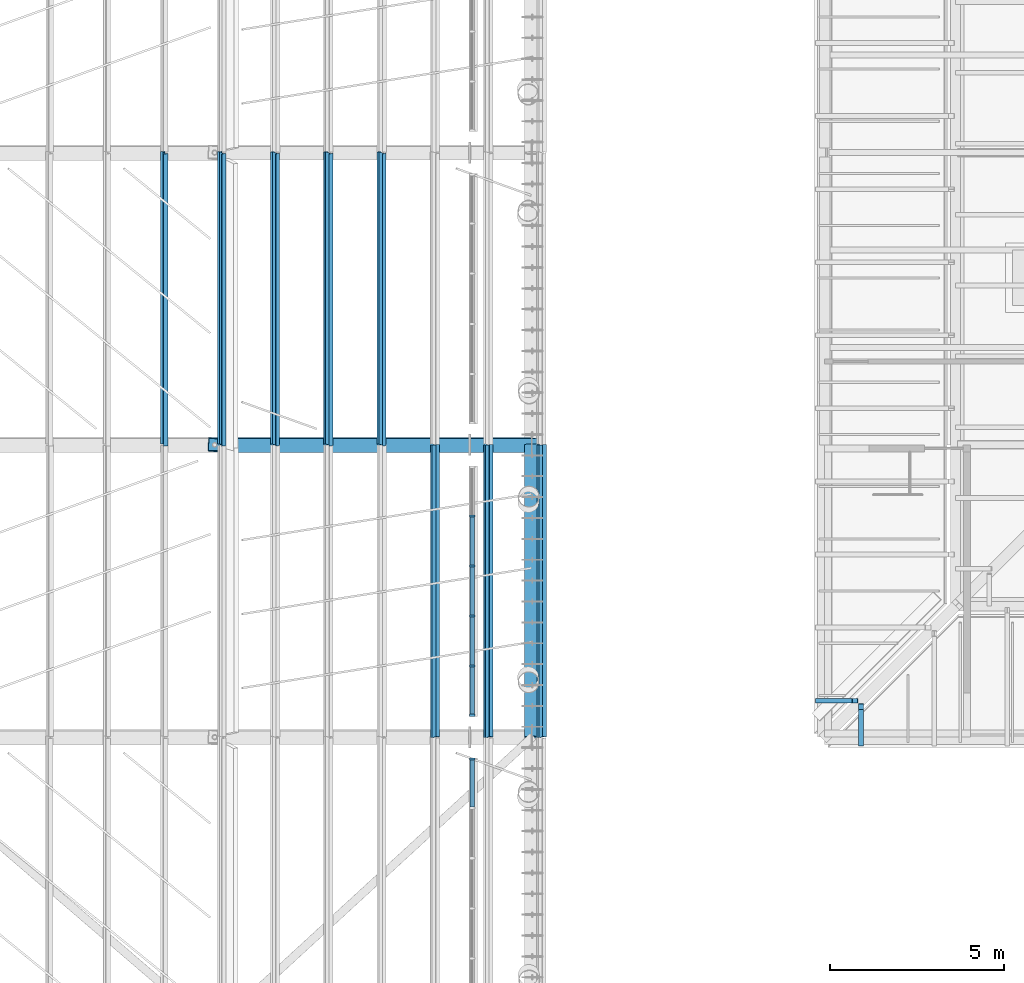
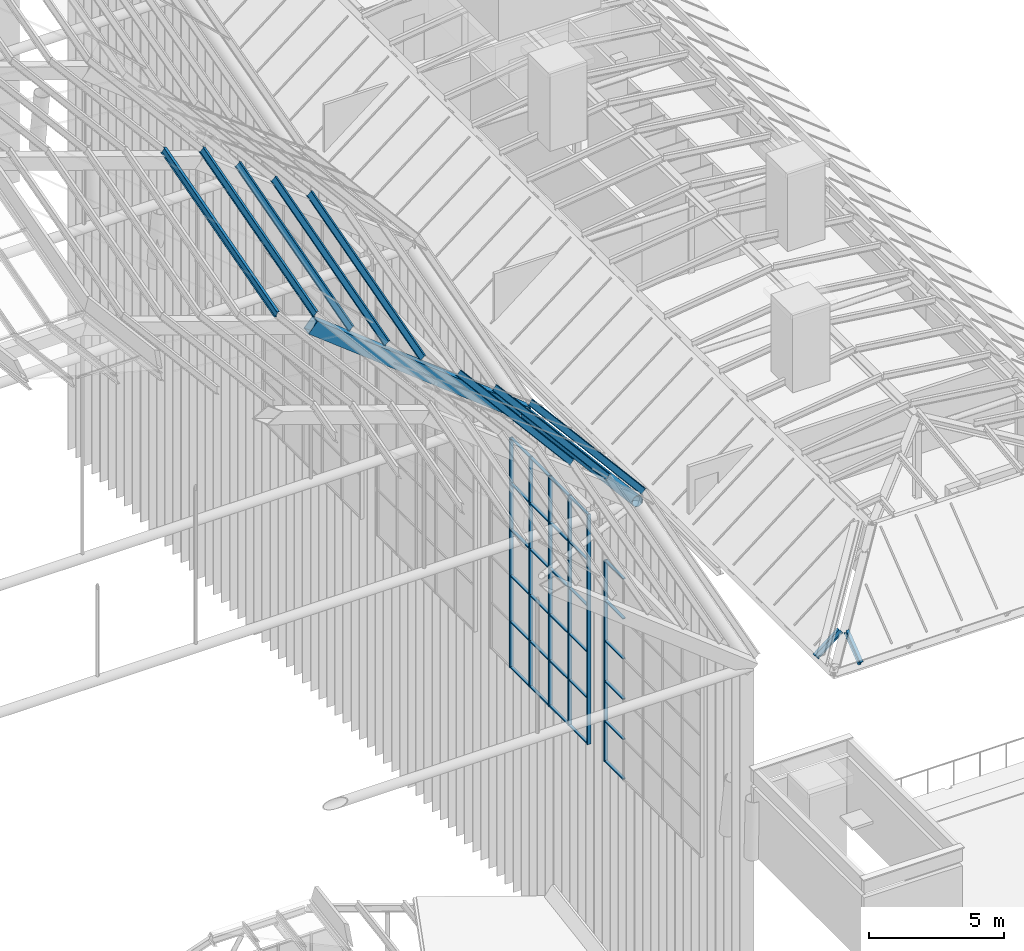
# One storey, part 43 of 126: 46 members, 2 beams, 2 elements without a shape of their own.
"""IFC4 building model written with IfcOpenShell, lengths in metres."""

from ifc_helpers import new_model, si_unit, direction, frame, origin, origin_2d, place, context, subcontext, project, spatial, polyline, rectangle, hollow_circle, i_section, outline, extrude, material, material_profile, profile_set, type_object, element, aggregate, save


model = new_model("IFC4")

# Units and contexts
model_context = context("Model", 3, precision=1e-05, world=origin(), true_north=direction((0.0, 1.0)))
body_context = subcontext(model_context, "Body", "Model", "MODEL_VIEW")
ifc_project = project(units=[si_unit("LENGTHUNIT", "METRE"), si_unit("AREAUNIT", "SQUARE_METRE"), si_unit("VOLUMEUNIT", "CUBIC_METRE"), si_unit("PLANEANGLEUNIT", "RADIAN"), si_unit("MASSUNIT", "GRAM", prefix="KILO")], contexts=[model_context])

# Site, building, storey
site_placement = place(None, origin())
site = spatial("IfcSite", under=ifc_project, at=site_placement, CompositionType="ELEMENT")
building_placement = place(site_placement, origin())
building = spatial("IfcBuilding", under=site, at=building_placement, Name="Sava Quay Ferry Terminal", CompositionType="ELEMENT")
storey_placement = place(building_placement, frame((0.0, 0.0, 15.0)))
storey = spatial("IfcBuildingStorey", under=building, at=storey_placement, Name="L03", CompositionType="ELEMENT", Elevation=15.0)

# Beams
ifc_material_1 = material(Name="Steel S355", Category="steel")
ifc_material_profile_1 = material_profile(ifc_material_1, outline(polyline([(-0.199951171875, -0.300048828125), (0.199951171875, -0.300048828125), (0.199951171875, 0.300048828125), (-0.199951171875, 0.300048828125), (-0.199951171875, -0.300048828125)]), holes=[polyline([(-0.175048828125, -0.27490234375), (-0.175048828125, 0.27490234375), (0.175048828125, 0.27490234375), (0.175048828125, -0.27490234375), (-0.175048828125, -0.27490234375)])]), Name="Box 600x400x25 built-up")
ifc_profile_set_1 = profile_set([ifc_material_profile_1], Name="Steel S355")
beam_type_1 = type_object("IfcBeamType", Name="D folded rib Box 600x400x25", PredefinedType="BEAM", material=ifc_profile_set_1)
beam_1_placement = place(storey_placement, frame((74.8701171875, 67.199951171875, 16.84716796875), z_axis=(0.788010316968, 0.0, -0.615662034198), x_axis=(0.036941091699, 0.998198243354, 0.047282372084)))
element("IfcBeam", 1, at=beam_1_placement, inside=storey, type_object=beam_type_1, Name="Departure hall folded rib R2 seg 5", PredefinedType="BEAM", context=body_context, shape_type="SweptSolid", body=[
    extrude(outline(polyline([(-0.199951171875, -0.300048828125), (0.199951171875, -0.300048828125), (0.199951171875, 0.300048828125), (-0.199951171875, 0.300048828125), (-0.199951171875, -0.300048828125)]), holes=[polyline([(-0.175048828125, -0.27490234375), (-0.175048828125, 0.27490234375), (0.175048828125, 0.27490234375), (0.175048828125, -0.27490234375), (-0.175048828125, -0.27490234375)])]), origin(), (0.0, 0.0, 1.0), 11.5859375),
])
ifc_material_2 = material(Name="Steel S355", Category="steel")
ifc_material_profile_2 = material_profile(ifc_material_2, hollow_circle(Radius=0.228515625, WallThickness=0.01611328125, at=origin_2d()), Name="CHS 457 x 16.0")
ifc_profile_set_2 = profile_set([ifc_material_profile_2], Name="Steel S355")
beam_type_2 = type_object("IfcBeamType", Name="Eave beam CHS 457x16", PredefinedType="BEAM", material=ifc_profile_set_2)
beam_2_placement = place(storey_placement, frame((84.0, 58.800048828125, 10.757080078125), z_axis=(0.0, 0.992379601397, -0.123218207788), x_axis=(-1.0, 0.0, 0.0)))
element("IfcBeam", 2, at=beam_2_placement, inside=storey, type_object=beam_type_2, Name="Departure hall eave beam R2", PredefinedType="BEAM", context=body_context, shape_type="SweptSolid", body=[
    extrude(hollow_circle(Radius=0.228515625, WallThickness=0.01611328125, at=origin_2d()), origin(), (0.0, 0.0, 1.0), 8.46435546875),
])

# Members
ifc_material_3 = material(Name="Steel S355", Category="steel")
ifc_material_profile_3 = material_profile(ifc_material_3, i_section(OverallWidth=0.135009765625, OverallDepth=0.27001953125, WebThickness=0.006591796875, FlangeThickness=0.01025390625, at=origin_2d()), Name="IPE 270")
ifc_profile_set_3 = profile_set([ifc_material_profile_3], Name="Steel S355")
member_type_1 = type_object("IfcMemberType", Name="Mansard rafter IPE 270", PredefinedType="RAFTER", material=ifc_profile_set_3)
for number, where, z_axis, x_axis, name in (
    (3, (93.449951171875, 58.626953125, 0.22021484375), (0.0, 0.786350059008, 0.617781178653), (-1.0, 0.0, 0.0), "Mansard rafter O-L0-RA0"),
    (4, (92.22705078125, 59.85009765625, 0.22021484375), (0.786350059008, 0.0, 0.617781178653), (0.0, 1.0, 0.0), "Mansard rafter O-L3-RA23"),
):
    element("IfcMember", number, at=place(storey_placement, frame(where, z_axis=z_axis, x_axis=x_axis)), inside=storey, type_object=member_type_1, Name=name, PredefinedType="RAFTER", context=body_context, shape_type="SweptSolid", body=[
        extrude(i_section(OverallWidth=0.135009765625, OverallDepth=0.27001953125, WebThickness=0.006591796875, FlangeThickness=0.01025390625, at=origin_2d()), origin(), (0.0, 0.0, 1.0), 1.33544921875),
    ])

# Curtain wall, member
ifc_material_4 = material(Name="Aluminium and glass curtain wall, double low-e glazed", Category="aluminium")
curtain_wall_type = type_object("IfcCurtainWallType", Name="Curtain wall CW-F flank", PredefinedType="NOTDEFINED", material=ifc_material_4)
curtain_wall_1_placement = place(storey_placement, origin())
curtain_wall_1 = element("IfcCurtainWall", 5, at=curtain_wall_1_placement, inside=storey, type_object=curtain_wall_type, Name="Curtain wall D-E L03 bay 1", PredefinedType="NOTDEFINED")
ifc_material_5 = material(Name="Aluminium EN AW-6063 T6", Category="aluminium")
ifc_material_profile_4 = material_profile(ifc_material_5, rectangle(XDim=0.14990234375, YDim=0.06005859375, at=origin_2d()), Name="Mullion 60x150 aluminium")
ifc_profile_set_4 = profile_set([ifc_material_profile_4], Name="Aluminium EN AW-6063 T6")
member_type_2 = type_object("IfcMemberType", Name="Mullion 60x150 aluminium", PredefinedType="MULLION", material=ifc_profile_set_4)
member_1_placement = place(storey_placement, frame((82.27490234375, 58.169921875, 0.0), z_axis=(0.0, 0.0, 1.0), x_axis=(-1.0, 0.0, 0.0)))
member_1 = element("IfcMember", 6, at=member_1_placement, type_object=member_type_2, Name="CW39 mullion 6", PredefinedType="MULLION", context=body_context, shape_type="SweptSolid", body=[
    extrude(rectangle(XDim=0.14990234375, YDim=0.06005859375, at=origin_2d()), origin(), (0.0, 0.0, 1.0), 9.10009765625),
])

# Curtain wall, members
curtain_wall_2_placement = place(storey_placement, origin())
curtain_wall_2 = element("IfcCurtainWall", 7, at=curtain_wall_2_placement, inside=storey, type_object=curtain_wall_type, Name="Curtain wall D-E L03 bay 2", PredefinedType="NOTDEFINED")
member_2_placement = place(storey_placement, frame((82.27490234375, 59.429931640625, 0.0), z_axis=(0.0, 0.0, 1.0), x_axis=(-1.0, 0.0, 0.0)))
member_2 = element("IfcMember", 8, at=member_2_placement, type_object=member_type_2, Name="CW43 mullion 1", PredefinedType="MULLION", context=body_context, shape_type="SweptSolid", body=[
    extrude(rectangle(XDim=0.14990234375, YDim=0.06005859375, at=origin_2d()), origin(), (0.0, 0.0, 1.0), 10.39990234375),
])
member_3_placement = place(storey_placement, frame((82.27490234375, 60.840087890625, 0.0), z_axis=(0.0, 0.0, 1.0), x_axis=(-1.0, 0.0, 0.0)))
member_3 = element("IfcMember", 9, at=member_3_placement, type_object=member_type_2, Name="CW43 mullion 2", PredefinedType="MULLION", context=body_context, shape_type="SweptSolid", body=[
    extrude(rectangle(XDim=0.14990234375, YDim=0.06005859375, at=origin_2d()), origin(), (0.0, 0.0, 1.0), 10.39990234375),
])
member_4_placement = place(storey_placement, frame((82.27490234375, 62.280029296875, 0.0), z_axis=(0.0, 0.0, 1.0), x_axis=(-1.0, 0.0, 0.0)))
member_4 = element("IfcMember", 10, at=member_4_placement, type_object=member_type_2, Name="CW43 mullion 3", PredefinedType="MULLION", context=body_context, shape_type="SweptSolid", body=[
    extrude(rectangle(XDim=0.14990234375, YDim=0.06005859375, at=origin_2d()), origin(), (0.0, 0.0, 1.0), 10.39990234375),
])
member_5_placement = place(storey_placement, frame((82.27490234375, 63.719970703125, 0.0), z_axis=(0.0, 0.0, 1.0), x_axis=(-1.0, 0.0, 0.0)))
member_5 = element("IfcMember", 11, at=member_5_placement, type_object=member_type_2, Name="CW43 mullion 4", PredefinedType="MULLION", context=body_context, shape_type="SweptSolid", body=[
    extrude(rectangle(XDim=0.14990234375, YDim=0.06005859375, at=origin_2d()), origin(), (0.0, 0.0, 1.0), 10.39990234375),
])
member_6_placement = place(storey_placement, frame((82.27490234375, 65.159912109375, 0.0), z_axis=(0.0, 0.0, 1.0), x_axis=(-1.0, 0.0, 0.0)))
member_6 = element("IfcMember", 12, at=member_6_placement, type_object=member_type_2, Name="CW43 mullion 5", PredefinedType="MULLION", context=body_context, shape_type="SweptSolid", body=[
    extrude(rectangle(XDim=0.14990234375, YDim=0.06005859375, at=origin_2d()), origin(), (0.0, 0.0, 1.0), 10.39990234375),
])

# Members
ifc_material_6 = material(Name="Steel S355", Category="steel")
ifc_material_profile_5 = material_profile(ifc_material_6, i_section(OverallWidth=0.135009765625, OverallDepth=0.27001953125, WebThickness=0.006591796875, FlangeThickness=0.01025390625, at=origin_2d()), Name="IPE 270")
ifc_profile_set_5 = profile_set([ifc_material_profile_5], Name="Steel S355")
member_type_3 = type_object("IfcMemberType", Name="Roof purlin IPE 270", PredefinedType="PURLIN", material=ifc_profile_set_5)
for number, where, z_axis, x_axis, name in (
    (13, (81.2041015625, 58.800048828125, 13.49609375), (0.0, 0.992379601397, -0.123218207788), (-0.790288110365, 0.075500161074, 0.608066138091), "Departure hall purlin bay 2 M4.4"),
    (14, (82.7353515625, 58.800048828125, 12.2998046875), (0.0, 0.992379601397, -0.123218207788), (-0.790288110365, 0.075500161074, 0.608066138091), "Departure hall purlin bay 2 M4.5"),
    (15, (84.2666015625, 58.800048828125, 11.103515625), (0.0, 0.992376074077, -0.123246612932), (-0.790288110365, 0.075517565912, 0.608063976777), "Departure hall edge purlin bay 2 V5"),
):
    element("IfcMember", number, at=place(storey_placement, frame(where, z_axis=z_axis, x_axis=x_axis)), inside=storey, type_object=member_type_3, Name=name, PredefinedType="PURLIN", context=body_context, shape_type="SweptSolid", body=[
        extrude(i_section(OverallWidth=0.135009765625, OverallDepth=0.27001953125, WebThickness=0.006591796875, FlangeThickness=0.01025390625, at=origin_2d()), origin(), (0.0, 0.0, 1.0), 8.46435546875),
    ])
for number, where, z_axis, x_axis, name in (
    (16, (73.423828125, 67.199951171875, 17.821044921875), (0.0, 0.962818275279, 0.270149900588), (-0.949197315574, -0.08501118009, 0.302981113877), "Departure hall purlin bay 3 M3.5"),
    (17, (75.074462890625, 67.199951171875, 17.252685546875), (0.0, 0.962818275279, 0.270149900588), (-0.885826064608, -0.12535426489, 0.446764469866), "Departure hall purlin bay 3 V4"),
    (18, (76.605712890625, 67.199951171875, 16.056396484375), (0.0, 0.962818275279, 0.270149900588), (-0.799142410931, -0.162398384779, 0.578790265703), "Departure hall purlin bay 3 M4.1"),
    (19, (78.136962890625, 67.199951171875, 14.860107421875), (0.0, 0.962818275279, 0.270149900588), (-0.799142410931, -0.162398384779, 0.578790265703), "Departure hall purlin bay 3 M4.2"),
    (20, (79.66796875, 67.199951171875, 13.663818359375), (0.0, 0.962818275279, 0.270149900588), (-0.799142410931, -0.162398384779, 0.578790265703), "Departure hall purlin bay 3 M4.3"),
):
    element("IfcMember", number, at=place(storey_placement, frame(where, z_axis=z_axis, x_axis=x_axis)), inside=storey, type_object=member_type_3, Name=name, PredefinedType="PURLIN", context=body_context, shape_type="SweptSolid", body=[
        extrude(i_section(OverallWidth=0.135009765625, OverallDepth=0.27001953125, WebThickness=0.006591796875, FlangeThickness=0.01025390625, at=origin_2d()), origin(), (0.0, 0.0, 1.0), 8.724609375),
    ])

# Member
ifc_material_7 = material(Name="Aluminium EN AW-6063 T6", Category="aluminium")
ifc_material_profile_6 = material_profile(ifc_material_7, rectangle(XDim=0.1201171875, YDim=0.050048828125, at=origin_2d()), Name="Transom 50x120 aluminium")
ifc_profile_set_6 = profile_set([ifc_material_profile_6], Name="Aluminium EN AW-6063 T6")
member_type_4 = type_object("IfcMemberType", Name="Transom 50x120 aluminium", PredefinedType="USERDEFINED", material=ifc_profile_set_6)
member_7_placement = place(storey_placement, frame((82.27490234375, 56.7900390625, 0.02490234375), z_axis=(0.0, 1.0, 0.0), x_axis=(-1.0, 0.0, 0.0)))
member_7 = element("IfcMember", 21, at=member_7_placement, type_object=member_type_4, Name="CW39 transom 5.1", ObjectType="TRANSOM", PredefinedType="USERDEFINED", context=body_context, shape_type="SweptSolid", body=[
    extrude(rectangle(XDim=0.1201171875, YDim=0.050048828125, at=origin_2d()), origin(), (0.0, 0.0, 1.0), 1.349853515625),
])

member_8_placement = place(storey_placement, frame((82.27490234375, 56.7900390625, 1.820068359375), z_axis=(0.0, 1.0, 0.0), x_axis=(-1.0, 0.0, 0.0)))
member_8 = element("IfcMember", 22, at=member_8_placement, type_object=member_type_4, Name="CW39 transom 5.2", ObjectType="TRANSOM", PredefinedType="USERDEFINED", context=body_context, shape_type="SweptSolid", body=[
    extrude(rectangle(XDim=0.1201171875, YDim=0.050048828125, at=origin_2d()), origin(), (0.0, 0.0, 1.0), 1.349853515625),
])

member_9_placement = place(storey_placement, frame((82.27490234375, 56.7900390625, 3.639892578125), z_axis=(0.0, 1.0, 0.0), x_axis=(-1.0, 0.0, 0.0)))
member_9 = element("IfcMember", 23, at=member_9_placement, type_object=member_type_4, Name="CW39 transom 5.3", ObjectType="TRANSOM", PredefinedType="USERDEFINED", context=body_context, shape_type="SweptSolid", body=[
    extrude(rectangle(XDim=0.1201171875, YDim=0.050048828125, at=origin_2d()), origin(), (0.0, 0.0, 1.0), 1.349853515625),
])

member_10_placement = place(storey_placement, frame((82.27490234375, 56.7900390625, 5.4599609375), z_axis=(0.0, 1.0, 0.0), x_axis=(-1.0, 0.0, 0.0)))
member_10 = element("IfcMember", 24, at=member_10_placement, type_object=member_type_4, Name="CW39 transom 5.4", ObjectType="TRANSOM", PredefinedType="USERDEFINED", context=body_context, shape_type="SweptSolid", body=[
    extrude(rectangle(XDim=0.1201171875, YDim=0.050048828125, at=origin_2d()), origin(), (0.0, 0.0, 1.0), 1.349853515625),
])

member_11_placement = place(storey_placement, frame((82.27490234375, 56.7900390625, 7.280029296875), z_axis=(0.0, 1.0, 0.0), x_axis=(-1.0, 0.0, 0.0)))
member_11 = element("IfcMember", 25, at=member_11_placement, type_object=member_type_4, Name="CW39 transom 5.5", ObjectType="TRANSOM", PredefinedType="USERDEFINED", context=body_context, shape_type="SweptSolid", body=[
    extrude(rectangle(XDim=0.1201171875, YDim=0.050048828125, at=origin_2d()), origin(), (0.0, 0.0, 1.0), 1.349853515625),
])

member_12_placement = place(storey_placement, frame((82.27490234375, 56.7900390625, 9.074951171875), z_axis=(0.0, 1.0, 0.0), x_axis=(-1.0, 0.0, 0.0)))
member_12 = element("IfcMember", 26, at=member_12_placement, type_object=member_type_4, Name="CW39 transom 5.6", ObjectType="TRANSOM", PredefinedType="USERDEFINED", context=body_context, shape_type="SweptSolid", body=[
    extrude(rectangle(XDim=0.1201171875, YDim=0.050048828125, at=origin_2d()), origin(), (0.0, 0.0, 1.0), 1.349853515625),
])

aggregate(curtain_wall_1, [member_1, member_7, member_8, member_9, member_10, member_11, member_12])

member_13_placement = place(storey_placement, frame((82.27490234375, 59.4599609375, 0.02490234375), z_axis=(0.0, 1.0, 0.0), x_axis=(-1.0, 0.0, 0.0)))
member_13 = element("IfcMember", 27, at=member_13_placement, type_object=member_type_4, Name="CW43 transom 1.1", ObjectType="TRANSOM", PredefinedType="USERDEFINED", context=body_context, shape_type="SweptSolid", body=[
    extrude(rectangle(XDim=0.1201171875, YDim=0.050048828125, at=origin_2d()), origin(), (0.0, 0.0, 1.0), 1.35009765625),
])

member_14_placement = place(storey_placement, frame((82.27490234375, 59.4599609375, 2.080078125), z_axis=(0.0, 1.0, 0.0), x_axis=(-1.0, 0.0, 0.0)))
member_14 = element("IfcMember", 28, at=member_14_placement, type_object=member_type_4, Name="CW43 transom 1.2", ObjectType="TRANSOM", PredefinedType="USERDEFINED", context=body_context, shape_type="SweptSolid", body=[
    extrude(rectangle(XDim=0.1201171875, YDim=0.050048828125, at=origin_2d()), origin(), (0.0, 0.0, 1.0), 1.35009765625),
])

member_15_placement = place(storey_placement, frame((82.27490234375, 59.4599609375, 4.159912109375), z_axis=(0.0, 1.0, 0.0), x_axis=(-1.0, 0.0, 0.0)))
member_15 = element("IfcMember", 29, at=member_15_placement, type_object=member_type_4, Name="CW43 transom 1.3", ObjectType="TRANSOM", PredefinedType="USERDEFINED", context=body_context, shape_type="SweptSolid", body=[
    extrude(rectangle(XDim=0.1201171875, YDim=0.050048828125, at=origin_2d()), origin(), (0.0, 0.0, 1.0), 1.35009765625),
])

member_16_placement = place(storey_placement, frame((82.27490234375, 59.4599609375, 6.239990234375), z_axis=(0.0, 1.0, 0.0), x_axis=(-1.0, 0.0, 0.0)))
member_16 = element("IfcMember", 30, at=member_16_placement, type_object=member_type_4, Name="CW43 transom 1.4", ObjectType="TRANSOM", PredefinedType="USERDEFINED", context=body_context, shape_type="SweptSolid", body=[
    extrude(rectangle(XDim=0.1201171875, YDim=0.050048828125, at=origin_2d()), origin(), (0.0, 0.0, 1.0), 1.35009765625),
])

member_17_placement = place(storey_placement, frame((82.27490234375, 59.4599609375, 8.320068359375), z_axis=(0.0, 1.0, 0.0), x_axis=(-1.0, 0.0, 0.0)))
member_17 = element("IfcMember", 31, at=member_17_placement, type_object=member_type_4, Name="CW43 transom 1.5", ObjectType="TRANSOM", PredefinedType="USERDEFINED", context=body_context, shape_type="SweptSolid", body=[
    extrude(rectangle(XDim=0.1201171875, YDim=0.050048828125, at=origin_2d()), origin(), (0.0, 0.0, 1.0), 1.35009765625),
])

member_18_placement = place(storey_placement, frame((82.27490234375, 59.4599609375, 10.375), z_axis=(0.0, 1.0, 0.0), x_axis=(-1.0, 0.0, 0.0)))
member_18 = element("IfcMember", 32, at=member_18_placement, type_object=member_type_4, Name="CW43 transom 1.6", ObjectType="TRANSOM", PredefinedType="USERDEFINED", context=body_context, shape_type="SweptSolid", body=[
    extrude(rectangle(XDim=0.1201171875, YDim=0.050048828125, at=origin_2d()), origin(), (0.0, 0.0, 1.0), 1.35009765625),
])

member_19_placement = place(storey_placement, frame((82.27490234375, 60.8701171875, 0.02490234375), z_axis=(0.0, 1.0, 0.0), x_axis=(-1.0, 0.0, 0.0)))
member_19 = element("IfcMember", 33, at=member_19_placement, type_object=member_type_4, Name="CW43 transom 2.1", ObjectType="TRANSOM", PredefinedType="USERDEFINED", context=body_context, shape_type="SweptSolid", body=[
    extrude(rectangle(XDim=0.1201171875, YDim=0.050048828125, at=origin_2d()), origin(), (0.0, 0.0, 1.0), 1.3798828125),
])

member_20_placement = place(storey_placement, frame((82.27490234375, 60.8701171875, 2.080078125), z_axis=(0.0, 1.0, 0.0), x_axis=(-1.0, 0.0, 0.0)))
member_20 = element("IfcMember", 34, at=member_20_placement, type_object=member_type_4, Name="CW43 transom 2.2", ObjectType="TRANSOM", PredefinedType="USERDEFINED", context=body_context, shape_type="SweptSolid", body=[
    extrude(rectangle(XDim=0.1201171875, YDim=0.050048828125, at=origin_2d()), origin(), (0.0, 0.0, 1.0), 1.3798828125),
])

member_21_placement = place(storey_placement, frame((82.27490234375, 60.8701171875, 4.159912109375), z_axis=(0.0, 1.0, 0.0), x_axis=(-1.0, 0.0, 0.0)))
member_21 = element("IfcMember", 35, at=member_21_placement, type_object=member_type_4, Name="CW43 transom 2.3", ObjectType="TRANSOM", PredefinedType="USERDEFINED", context=body_context, shape_type="SweptSolid", body=[
    extrude(rectangle(XDim=0.1201171875, YDim=0.050048828125, at=origin_2d()), origin(), (0.0, 0.0, 1.0), 1.3798828125),
])

member_22_placement = place(storey_placement, frame((82.27490234375, 60.8701171875, 6.239990234375), z_axis=(0.0, 1.0, 0.0), x_axis=(-1.0, 0.0, 0.0)))
member_22 = element("IfcMember", 36, at=member_22_placement, type_object=member_type_4, Name="CW43 transom 2.4", ObjectType="TRANSOM", PredefinedType="USERDEFINED", context=body_context, shape_type="SweptSolid", body=[
    extrude(rectangle(XDim=0.1201171875, YDim=0.050048828125, at=origin_2d()), origin(), (0.0, 0.0, 1.0), 1.3798828125),
])

member_23_placement = place(storey_placement, frame((82.27490234375, 60.8701171875, 8.320068359375), z_axis=(0.0, 1.0, 0.0), x_axis=(-1.0, 0.0, 0.0)))
member_23 = element("IfcMember", 37, at=member_23_placement, type_object=member_type_4, Name="CW43 transom 2.5", ObjectType="TRANSOM", PredefinedType="USERDEFINED", context=body_context, shape_type="SweptSolid", body=[
    extrude(rectangle(XDim=0.1201171875, YDim=0.050048828125, at=origin_2d()), origin(), (0.0, 0.0, 1.0), 1.3798828125),
])

member_24_placement = place(storey_placement, frame((82.27490234375, 60.8701171875, 10.375), z_axis=(0.0, 1.0, 0.0), x_axis=(-1.0, 0.0, 0.0)))
member_24 = element("IfcMember", 38, at=member_24_placement, type_object=member_type_4, Name="CW43 transom 2.6", ObjectType="TRANSOM", PredefinedType="USERDEFINED", context=body_context, shape_type="SweptSolid", body=[
    extrude(rectangle(XDim=0.1201171875, YDim=0.050048828125, at=origin_2d()), origin(), (0.0, 0.0, 1.0), 1.3798828125),
])

member_25_placement = place(storey_placement, frame((82.27490234375, 62.31005859375, 0.02490234375), z_axis=(0.0, 1.0, 0.0), x_axis=(-1.0, 0.0, 0.0)))
member_25 = element("IfcMember", 39, at=member_25_placement, type_object=member_type_4, Name="CW43 transom 3.1", ObjectType="TRANSOM", PredefinedType="USERDEFINED", context=body_context, shape_type="SweptSolid", body=[
    extrude(rectangle(XDim=0.1201171875, YDim=0.050048828125, at=origin_2d()), origin(), (0.0, 0.0, 1.0), 1.3798828125),
])

member_26_placement = place(storey_placement, frame((82.27490234375, 62.31005859375, 2.080078125), z_axis=(0.0, 1.0, 0.0), x_axis=(-1.0, 0.0, 0.0)))
member_26 = element("IfcMember", 40, at=member_26_placement, type_object=member_type_4, Name="CW43 transom 3.2", ObjectType="TRANSOM", PredefinedType="USERDEFINED", context=body_context, shape_type="SweptSolid", body=[
    extrude(rectangle(XDim=0.1201171875, YDim=0.050048828125, at=origin_2d()), origin(), (0.0, 0.0, 1.0), 1.3798828125),
])

member_27_placement = place(storey_placement, frame((82.27490234375, 62.31005859375, 4.159912109375), z_axis=(0.0, 1.0, 0.0), x_axis=(-1.0, 0.0, 0.0)))
member_27 = element("IfcMember", 41, at=member_27_placement, type_object=member_type_4, Name="CW43 transom 3.3", ObjectType="TRANSOM", PredefinedType="USERDEFINED", context=body_context, shape_type="SweptSolid", body=[
    extrude(rectangle(XDim=0.1201171875, YDim=0.050048828125, at=origin_2d()), origin(), (0.0, 0.0, 1.0), 1.3798828125),
])

member_28_placement = place(storey_placement, frame((82.27490234375, 62.31005859375, 6.239990234375), z_axis=(0.0, 1.0, 0.0), x_axis=(-1.0, 0.0, 0.0)))
member_28 = element("IfcMember", 42, at=member_28_placement, type_object=member_type_4, Name="CW43 transom 3.4", ObjectType="TRANSOM", PredefinedType="USERDEFINED", context=body_context, shape_type="SweptSolid", body=[
    extrude(rectangle(XDim=0.1201171875, YDim=0.050048828125, at=origin_2d()), origin(), (0.0, 0.0, 1.0), 1.3798828125),
])

member_29_placement = place(storey_placement, frame((82.27490234375, 62.31005859375, 8.320068359375), z_axis=(0.0, 1.0, 0.0), x_axis=(-1.0, 0.0, 0.0)))
member_29 = element("IfcMember", 43, at=member_29_placement, type_object=member_type_4, Name="CW43 transom 3.5", ObjectType="TRANSOM", PredefinedType="USERDEFINED", context=body_context, shape_type="SweptSolid", body=[
    extrude(rectangle(XDim=0.1201171875, YDim=0.050048828125, at=origin_2d()), origin(), (0.0, 0.0, 1.0), 1.3798828125),
])

member_30_placement = place(storey_placement, frame((82.27490234375, 62.31005859375, 10.375), z_axis=(0.0, 1.0, 0.0), x_axis=(-1.0, 0.0, 0.0)))
member_30 = element("IfcMember", 44, at=member_30_placement, type_object=member_type_4, Name="CW43 transom 3.6", ObjectType="TRANSOM", PredefinedType="USERDEFINED", context=body_context, shape_type="SweptSolid", body=[
    extrude(rectangle(XDim=0.1201171875, YDim=0.050048828125, at=origin_2d()), origin(), (0.0, 0.0, 1.0), 1.3798828125),
])

member_31_placement = place(storey_placement, frame((82.27490234375, 63.75, 0.02490234375), z_axis=(0.0, 1.0, 0.0), x_axis=(-1.0, 0.0, 0.0)))
member_31 = element("IfcMember", 45, at=member_31_placement, type_object=member_type_4, Name="CW43 transom 4.1", ObjectType="TRANSOM", PredefinedType="USERDEFINED", context=body_context, shape_type="SweptSolid", body=[
    extrude(rectangle(XDim=0.1201171875, YDim=0.050048828125, at=origin_2d()), origin(), (0.0, 0.0, 1.0), 1.3798828125),
])

member_32_placement = place(storey_placement, frame((82.27490234375, 63.75, 2.080078125), z_axis=(0.0, 1.0, 0.0), x_axis=(-1.0, 0.0, 0.0)))
member_32 = element("IfcMember", 46, at=member_32_placement, type_object=member_type_4, Name="CW43 transom 4.2", ObjectType="TRANSOM", PredefinedType="USERDEFINED", context=body_context, shape_type="SweptSolid", body=[
    extrude(rectangle(XDim=0.1201171875, YDim=0.050048828125, at=origin_2d()), origin(), (0.0, 0.0, 1.0), 1.3798828125),
])

member_33_placement = place(storey_placement, frame((82.27490234375, 63.75, 4.159912109375), z_axis=(0.0, 1.0, 0.0), x_axis=(-1.0, 0.0, 0.0)))
member_33 = element("IfcMember", 47, at=member_33_placement, type_object=member_type_4, Name="CW43 transom 4.3", ObjectType="TRANSOM", PredefinedType="USERDEFINED", context=body_context, shape_type="SweptSolid", body=[
    extrude(rectangle(XDim=0.1201171875, YDim=0.050048828125, at=origin_2d()), origin(), (0.0, 0.0, 1.0), 1.3798828125),
])

member_34_placement = place(storey_placement, frame((82.27490234375, 63.75, 6.239990234375), z_axis=(0.0, 1.0, 0.0), x_axis=(-1.0, 0.0, 0.0)))
member_34 = element("IfcMember", 48, at=member_34_placement, type_object=member_type_4, Name="CW43 transom 4.4", ObjectType="TRANSOM", PredefinedType="USERDEFINED", context=body_context, shape_type="SweptSolid", body=[
    extrude(rectangle(XDim=0.1201171875, YDim=0.050048828125, at=origin_2d()), origin(), (0.0, 0.0, 1.0), 1.3798828125),
])

member_35_placement = place(storey_placement, frame((82.27490234375, 63.75, 8.320068359375), z_axis=(0.0, 1.0, 0.0), x_axis=(-1.0, 0.0, 0.0)))
member_35 = element("IfcMember", 49, at=member_35_placement, type_object=member_type_4, Name="CW43 transom 4.5", ObjectType="TRANSOM", PredefinedType="USERDEFINED", context=body_context, shape_type="SweptSolid", body=[
    extrude(rectangle(XDim=0.1201171875, YDim=0.050048828125, at=origin_2d()), origin(), (0.0, 0.0, 1.0), 1.3798828125),
])

member_36_placement = place(storey_placement, frame((82.27490234375, 63.75, 10.375), z_axis=(0.0, 1.0, 0.0), x_axis=(-1.0, 0.0, 0.0)))
member_36 = element("IfcMember", 50, at=member_36_placement, type_object=member_type_4, Name="CW43 transom 4.6", ObjectType="TRANSOM", PredefinedType="USERDEFINED", context=body_context, shape_type="SweptSolid", body=[
    extrude(rectangle(XDim=0.1201171875, YDim=0.050048828125, at=origin_2d()), origin(), (0.0, 0.0, 1.0), 1.3798828125),
])

aggregate(curtain_wall_2, [member_2, member_3, member_4, member_5, member_6, member_13, member_14, member_15, member_16, member_17, member_18, member_19, member_20, member_21, member_22, member_23, member_24, member_25, member_26, member_27, member_28, member_29, member_30, member_31, member_32, member_33, member_34, member_35, member_36])

save(model, "model.ifc")
